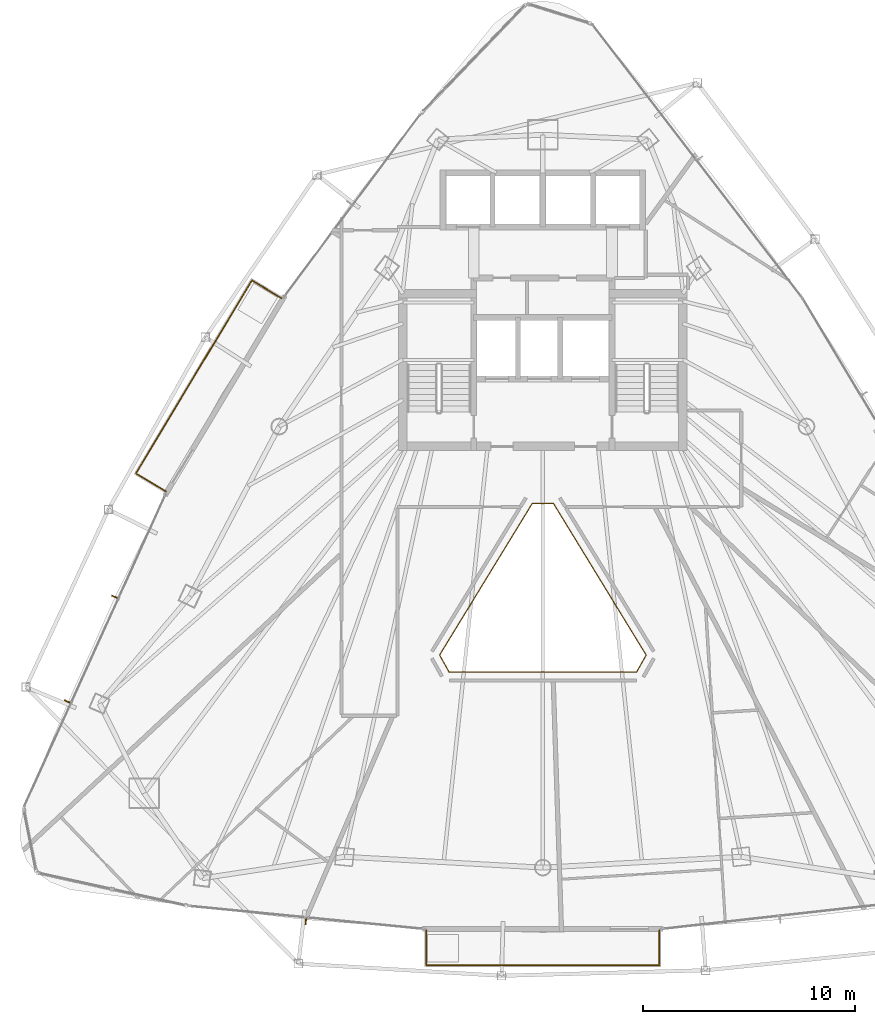
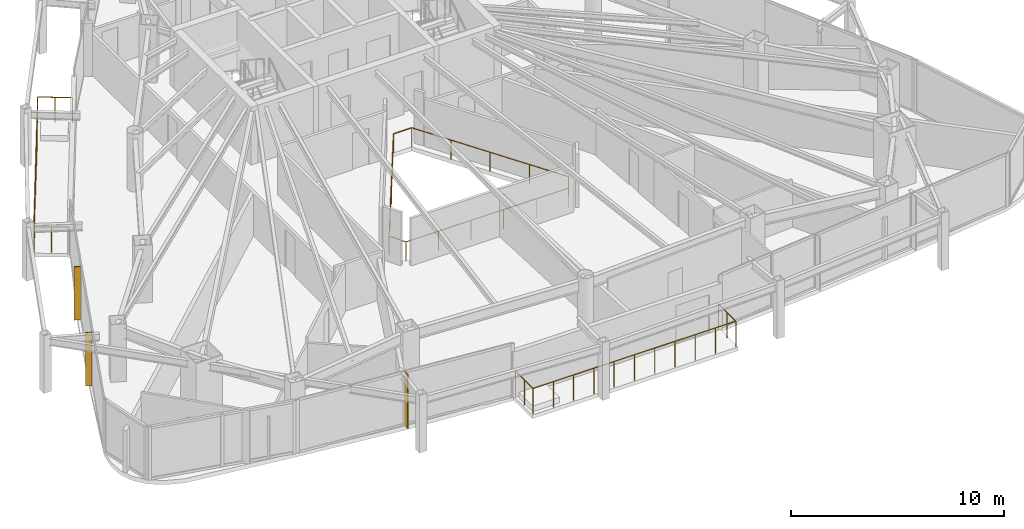
# One storey, part 27 of 29: 3 railings, 3 shading devices.
"""IFC4 building model written with IfcOpenShell, lengths in metres."""

from ifc_helpers import new_model, si_unit, direction, frame, origin, origin_2d, place, context, subcontext, project, spatial, rectangle, circle, extrude, material, layer, layer_set, type_object, element, save


model = new_model("IFC4")

# Units and contexts
model_context = context("Model", 3, precision=1e-05, world=origin(), true_north=direction((0.0, 1.0)))
body_context = subcontext(model_context, "Body", "Model", "MODEL_VIEW")
ifc_project = project(units=[si_unit("LENGTHUNIT", "METRE"), si_unit("AREAUNIT", "SQUARE_METRE"), si_unit("VOLUMEUNIT", "CUBIC_METRE"), si_unit("PLANEANGLEUNIT", "RADIAN"), si_unit("MASSUNIT", "GRAM", prefix="KILO")], contexts=[model_context])

# Site, building, storey
site_placement = place(None, origin())
site = spatial("IfcSite", under=ifc_project, at=site_placement, CompositionType="ELEMENT")
building_placement = place(site_placement, origin())
building = spatial("IfcBuilding", under=site, at=building_placement, Name="Orvanel Arch Residences", CompositionType="ELEMENT")
storey_placement = place(building_placement, frame((0.0, 0.0, 173.75)))
storey = spatial("IfcBuildingStorey", under=building, at=storey_placement, Name="L49", CompositionType="ELEMENT", Elevation=173.75)

# Shading devices
ifc_material = material(Name="Bronze-anodised aluminium AA6063-T6", Category="aluminium")
ifc_layer = layer(ifc_material, 0.054931640625)
ifc_layer_set = layer_set([ifc_layer], Name="Bronze-anodised aluminium AA6063-T6")
shading_device_type = type_object("IfcShadingDeviceType", Name="FIN-BRZ-320", PredefinedType="USERDEFINED", material=ifc_layer_set)
for number, where, z_axis, x_axis, name in (
    (1, (12.81689453125, 19.60888671875, 0.0), (0.0, 0.0, 1.0), (-0.910683660806, 0.413104429825, 0.0), "L49 Anodised Bronze Mullion FIN 01"),
    (2, (10.5830078125, 14.677978515625, 0.0), (0.0, 0.0, 1.0), (-0.910683660806, 0.413104429825, 0.0), "L49 Anodised Bronze Mullion FIN 02"),
    (3, (21.824951171875, 4.304931640625, 0.0), (0.0, 0.0, 1.0), (-0.097582899759, -0.995227399982, 0.0), "L49 Anodised Bronze Mullion FIN 01"),
):
    element("IfcShadingDevice", number, at=place(storey_placement, frame(where, z_axis=z_axis, x_axis=x_axis)), inside=storey, type_object=shading_device_type, Name=name, ObjectType="FIN", PredefinedType="USERDEFINED", context=body_context, shape_type="SweptSolid", body=[
        extrude(rectangle(XDim=0.320068359375, YDim=0.054931640625, at=origin_2d()), origin(), (0.0, 0.0, 1.0), 3.06005859375),
    ])

# Railings
railing_type_1 = type_object("IfcRailingType", Name="RL-ATR-1120", PredefinedType="BALUSTRADE", material=ifc_material)
railing_1_placement = place(storey_placement, frame((33.492919921875, 24.01904296875, 0.0)))
element("IfcRailing", 4, at=railing_1_placement, inside=storey, type_object=railing_type_1, Name="L49 Atrium Void Protective Balustrade", PredefinedType="BALUSTRADE", context=body_context, shape_type="SweptSolid", body=[
    extrude(circle(Radius=0.02392578125, at=origin_2d()), frame((-0.00146484375, 0.0, 1.09619140625), z_axis=(-1.0, 0.0, 0.0), x_axis=(0.0, -1.0, 0.0)), (0.0, 0.0, 1.0), 0.98291015625),
    extrude(circle(Radius=0.02392578125, at=origin_2d()), frame((-0.986572265625, -0.001220703125, 1.09619140625), z_axis=(-0.521599593789, -0.853190402993, 0.0), x_axis=(0.853190402993, -0.521599593789, 0.0)), (0.0, 0.0, 1.0), 8.380859375),
    extrude(circle(Radius=0.02392578125, at=origin_2d()), frame((-5.358154296875, -7.154296875, 1.09619140625), z_axis=(0.489446762149, -0.872033180001, 0.0), x_axis=(0.872033180001, 0.489446762149, 0.0)), (0.0, 0.0, 1.0), 0.92236328125),
    extrude(circle(Radius=0.02392578125, at=origin_2d()), frame((-4.904541015625, -7.9599609375, 1.09619140625), z_axis=(1.0, 0.0, 0.0), x_axis=(0.0, 1.0, 0.0)), (0.0, 0.0, 1.0), 8.8232421875),
    extrude(circle(Radius=0.02392578125, at=origin_2d()), frame((3.9208984375, -7.958740234375, 1.09619140625), z_axis=(0.489446762149, 0.872033180001, 0.0), x_axis=(-0.872033180001, 0.489446762149, 0.0)), (0.0, 0.0, 1.0), 0.92236328125),
    extrude(circle(Radius=0.02392578125, at=origin_2d()), frame((4.372314453125, -7.15185546875, 1.09619140625), z_axis=(-0.521599593789, 0.853190402993, 0.0), x_axis=(-0.853190402993, -0.521599593789, 0.0)), (0.0, 0.0, 1.0), 8.380859375),
    extrude(circle(Radius=0.02099609375, at=origin_2d()), origin(), (0.0, 0.0, 1.0), 1.070068359375),
    extrude(circle(Radius=0.02099609375, at=origin_2d()), frame((-0.98583984375, 0.0, 0.0)), (0.0, 0.0, 1.0), 1.070068359375),
    extrude(circle(Radius=0.02099609375, at=origin_2d()), frame((-2.0791015625, -1.788330078125, 0.0)), (0.0, 0.0, 1.0), 1.070068359375),
    extrude(circle(Radius=0.02099609375, at=origin_2d()), frame((-3.17236328125, -3.57666015625, 0.0)), (0.0, 0.0, 1.0), 1.070068359375),
    extrude(circle(Radius=0.02099609375, at=origin_2d()), frame((-4.265625, -5.36474609375, 0.0)), (0.0, 0.0, 1.0), 1.070068359375),
    extrude(circle(Radius=0.02099609375, at=origin_2d()), frame((-5.35888671875, -7.153076171875, 0.0)), (0.0, 0.0, 1.0), 1.070068359375),
    extrude(circle(Radius=0.02099609375, at=origin_2d()), frame((-4.906005859375, -7.9599609375, 0.0)), (0.0, 0.0, 1.0), 1.070068359375),
    extrude(circle(Radius=0.02099609375, at=origin_2d()), frame((-3.140869140625, -7.9599609375, 0.0)), (0.0, 0.0, 1.0), 1.070068359375),
    extrude(circle(Radius=0.02099609375, at=origin_2d()), frame((-1.37548828125, -7.9599609375, 0.0)), (0.0, 0.0, 1.0), 1.070068359375),
    extrude(circle(Radius=0.02099609375, at=origin_2d()), frame((0.3896484375, -7.9599609375, 0.0)), (0.0, 0.0, 1.0), 1.070068359375),
    extrude(circle(Radius=0.02099609375, at=origin_2d()), frame((2.155029296875, -7.9599609375, 0.0)), (0.0, 0.0, 1.0), 1.070068359375),
    extrude(circle(Radius=0.02099609375, at=origin_2d()), frame((3.920166015625, -7.9599609375, 0.0)), (0.0, 0.0, 1.0), 1.070068359375),
    extrude(circle(Radius=0.02099609375, at=origin_2d()), frame((4.373046875, -7.153076171875, 0.0)), (0.0, 0.0, 1.0), 1.070068359375),
    extrude(circle(Radius=0.02099609375, at=origin_2d()), frame((3.27978515625, -5.36474609375, 0.0)), (0.0, 0.0, 1.0), 1.070068359375),
    extrude(circle(Radius=0.02099609375, at=origin_2d()), frame((2.1865234375, -3.57666015625, 0.0)), (0.0, 0.0, 1.0), 1.070068359375),
    extrude(circle(Radius=0.02099609375, at=origin_2d()), frame((1.09326171875, -1.788330078125, 0.0)), (0.0, 0.0, 1.0), 1.070068359375),
])
railing_type_2 = type_object("IfcRailingType", Name="RL-BAL-1480", PredefinedType="BALUSTRADE", material=ifc_material)
railing_2_placement = place(storey_placement, frame((20.68310546875, 33.68896484375, 0.0)))
element("IfcRailing", 5, at=railing_2_placement, inside=storey, type_object=railing_type_2, Name="L49 Balcony Perimeter Guardrail Face 1", PredefinedType="BALUSTRADE", context=body_context, shape_type="SweptSolid", body=[
    extrude(circle(Radius=0.02392578125, at=origin_2d()), frame((-0.001220703125, 0.000732421875, 1.4560546875), z_axis=(-0.857387817543, 0.514670895164, 0.0), x_axis=(-0.514670895164, -0.857387817543, 0.0)), (0.0, 0.0, 1.0), 1.636962890625),
    extrude(circle(Radius=0.02392578125, at=origin_2d()), frame((-1.40673828125, 0.8427734375, 1.4560546875), z_axis=(-0.514411251887, -0.857543622175, 0.0), x_axis=(0.857543622175, -0.514411251887, 0.0)), (0.0, 0.0, 1.0), 10.619140625),
    extrude(circle(Radius=0.02392578125, at=origin_2d()), frame((-6.868896484375, -8.265625, 1.4560546875), z_axis=(0.857545439568, -0.514408222208, 0.0), x_axis=(0.514408222208, 0.857545439568, 0.0)), (0.0, 0.0, 1.0), 1.6376953125),
    extrude(circle(Radius=0.02099609375, at=origin_2d()), origin(), (0.0, 0.0, 1.0), 1.429931640625),
    extrude(circle(Radius=0.02099609375, at=origin_2d()), frame((-0.703125, 0.421875, 0.0)), (0.0, 0.0, 1.0), 1.429931640625),
    extrude(circle(Radius=0.02099609375, at=origin_2d()), frame((-1.406005859375, 0.843994140625, 0.0)), (0.0, 0.0, 1.0), 1.429931640625),
    extrude(circle(Radius=0.02099609375, at=origin_2d()), frame((-2.01318359375, -0.168212890625, 0.0)), (0.0, 0.0, 1.0), 1.429931640625),
    extrude(circle(Radius=0.02099609375, at=origin_2d()), frame((-2.620361328125, -1.18017578125, 0.0)), (0.0, 0.0, 1.0), 1.429931640625),
    extrude(circle(Radius=0.02099609375, at=origin_2d()), frame((-3.227294921875, -2.1923828125, 0.0)), (0.0, 0.0, 1.0), 1.429931640625),
    extrude(circle(Radius=0.02099609375, at=origin_2d()), frame((-3.83447265625, -3.204345703125, 0.0)), (0.0, 0.0, 1.0), 1.429931640625),
    extrude(circle(Radius=0.02099609375, at=origin_2d()), frame((-4.441650390625, -4.216552734375, 0.0)), (0.0, 0.0, 1.0), 1.429931640625),
    extrude(circle(Radius=0.02099609375, at=origin_2d()), frame((-5.048828125, -5.228515625, 0.0)), (0.0, 0.0, 1.0), 1.429931640625),
    extrude(circle(Radius=0.02099609375, at=origin_2d()), frame((-5.65576171875, -6.24072265625, 0.0)), (0.0, 0.0, 1.0), 1.429931640625),
    extrude(circle(Radius=0.02099609375, at=origin_2d()), frame((-6.262939453125, -7.252685546875, 0.0)), (0.0, 0.0, 1.0), 1.429931640625),
    extrude(circle(Radius=0.02099609375, at=origin_2d()), frame((-6.8701171875, -8.264892578125, 0.0)), (0.0, 0.0, 1.0), 1.429931640625),
    extrude(circle(Radius=0.02099609375, at=origin_2d()), frame((-6.16650390625, -8.68701171875, 0.0)), (0.0, 0.0, 1.0), 1.429931640625),
    extrude(circle(Radius=0.02099609375, at=origin_2d()), frame((-5.463134765625, -9.10888671875, 0.0)), (0.0, 0.0, 1.0), 1.429931640625),
])
railing_3_placement = place(storey_placement, frame((27.501953125, 3.885009765625, 0.0)))
element("IfcRailing", 6, at=railing_3_placement, inside=storey, type_object=railing_type_2, Name="L49 Balcony Perimeter Guardrail Face 2", PredefinedType="BALUSTRADE", context=body_context, shape_type="SweptSolid", body=[
    extrude(circle(Radius=0.02392578125, at=origin_2d()), frame((0.0, -0.00146484375, 1.4560546875), z_axis=(0.0, -1.0, 0.0), x_axis=(1.0, 0.0, 0.0)), (0.0, 0.0, 1.0), 1.636962890625),
    extrude(circle(Radius=0.02392578125, at=origin_2d()), frame((0.00146484375, -1.639892578125, 1.4560546875), z_axis=(1.0, 0.0, 0.0), x_axis=(0.0, 1.0, 0.0)), (0.0, 0.0, 1.0), 10.9931640625),
    extrude(circle(Radius=0.02392578125, at=origin_2d()), frame((10.99609375, -1.638427734375, 1.4560546875), z_axis=(0.0, 1.0, 0.0), x_axis=(-1.0, 0.0, 0.0)), (0.0, 0.0, 1.0), 1.636962890625),
    extrude(circle(Radius=0.02099609375, at=origin_2d()), origin(), (0.0, 0.0, 1.0), 1.429931640625),
    extrude(circle(Radius=0.02099609375, at=origin_2d()), frame((0.0, -0.81982421875, 0.0)), (0.0, 0.0, 1.0), 1.429931640625),
    extrude(circle(Radius=0.02099609375, at=origin_2d()), frame((0.0, -1.639892578125, 0.0)), (0.0, 0.0, 1.0), 1.429931640625),
    extrude(circle(Radius=0.02099609375, at=origin_2d()), frame((1.099609375, -1.639892578125, 0.0)), (0.0, 0.0, 1.0), 1.429931640625),
    extrude(circle(Radius=0.02099609375, at=origin_2d()), frame((2.19921875, -1.639892578125, 0.0)), (0.0, 0.0, 1.0), 1.429931640625),
    extrude(circle(Radius=0.02099609375, at=origin_2d()), frame((3.298828125, -1.639892578125, 0.0)), (0.0, 0.0, 1.0), 1.429931640625),
    extrude(circle(Radius=0.02099609375, at=origin_2d()), frame((4.3984375, -1.639892578125, 0.0)), (0.0, 0.0, 1.0), 1.429931640625),
    extrude(circle(Radius=0.02099609375, at=origin_2d()), frame((5.498046875, -1.639892578125, 0.0)), (0.0, 0.0, 1.0), 1.429931640625),
    extrude(circle(Radius=0.02099609375, at=origin_2d()), frame((6.59765625, -1.639892578125, 0.0)), (0.0, 0.0, 1.0), 1.429931640625),
    extrude(circle(Radius=0.02099609375, at=origin_2d()), frame((7.697265625, -1.639892578125, 0.0)), (0.0, 0.0, 1.0), 1.429931640625),
    extrude(circle(Radius=0.02099609375, at=origin_2d()), frame((8.796875, -1.639892578125, 0.0)), (0.0, 0.0, 1.0), 1.429931640625),
    extrude(circle(Radius=0.02099609375, at=origin_2d()), frame((9.896484375, -1.639892578125, 0.0)), (0.0, 0.0, 1.0), 1.429931640625),
    extrude(circle(Radius=0.02099609375, at=origin_2d()), frame((10.99609375, -1.639892578125, 0.0)), (0.0, 0.0, 1.0), 1.429931640625),
    extrude(circle(Radius=0.02099609375, at=origin_2d()), frame((10.99609375, -0.81982421875, 0.0)), (0.0, 0.0, 1.0), 1.429931640625),
    extrude(circle(Radius=0.02099609375, at=origin_2d()), frame((10.99609375, 0.0, 0.0)), (0.0, 0.0, 1.0), 1.429931640625),
])

save(model, "model.ifc")
